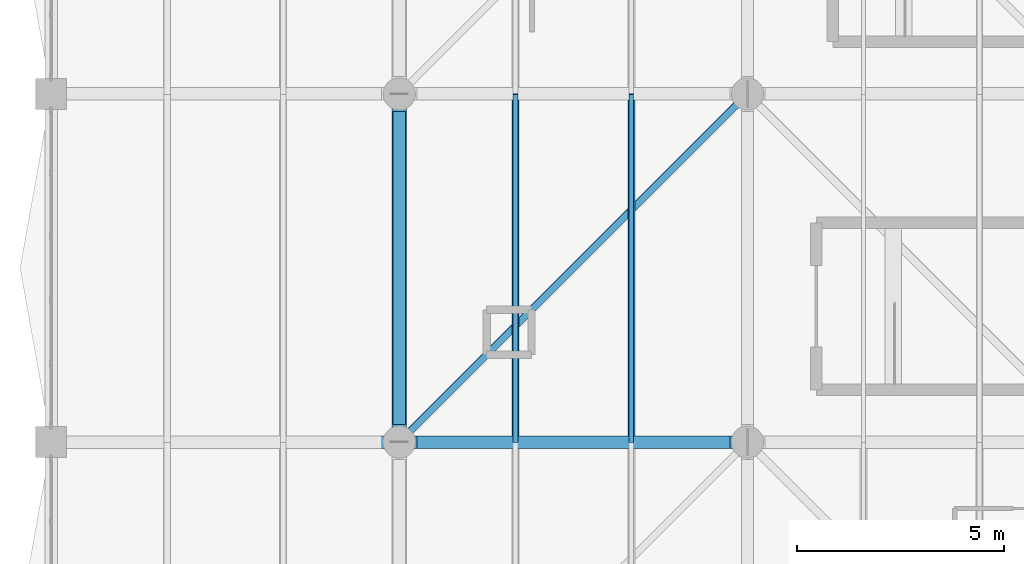
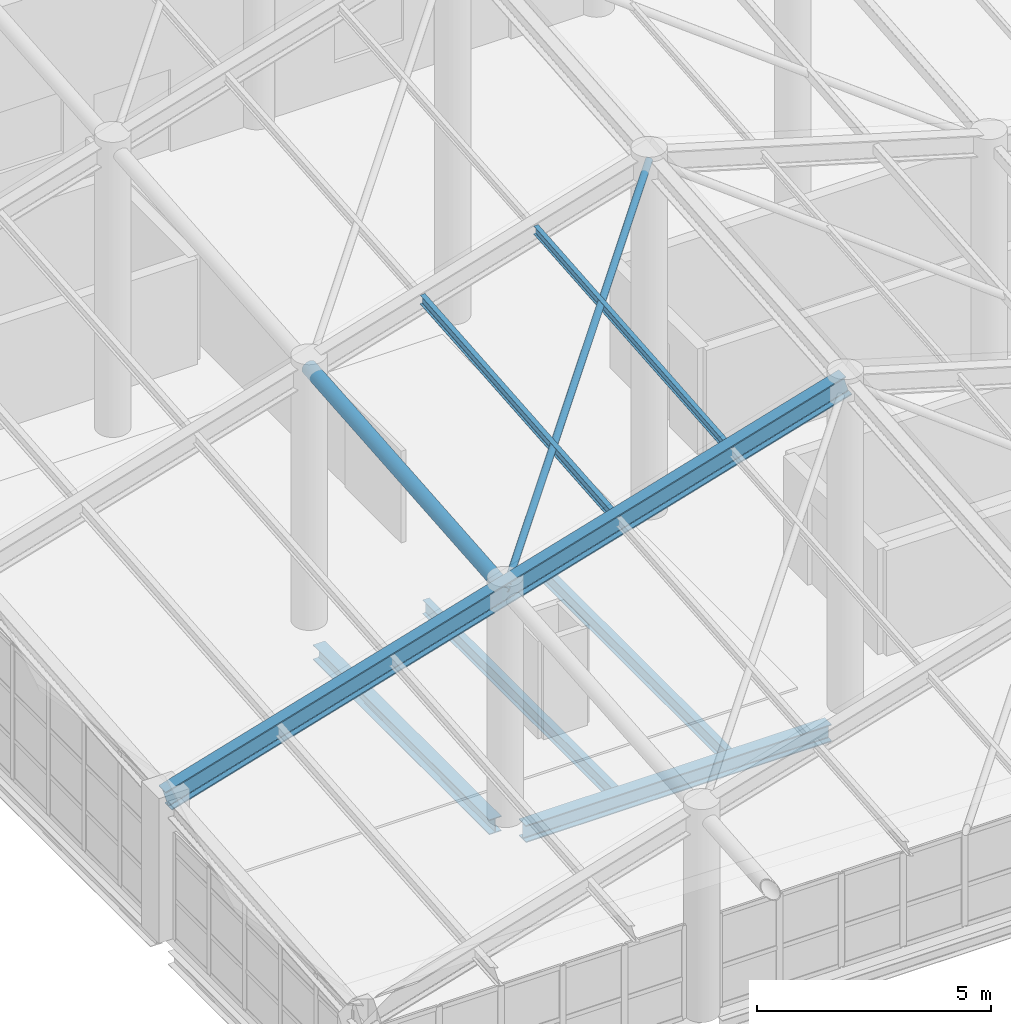
# One storey, part 35 of 95: 5 members, 4 beams.
"""IFC4 building model written with IfcOpenShell, lengths in metres."""

from ifc_helpers import new_model, si_unit, direction, frame, origin, origin_2d, place, context, subcontext, project, spatial, hollow_circle, i_section, extrude, material, material_profile, profile_set, type_object, element, save


model = new_model("IFC4")

# Units and contexts
model_context = context("Model", 3, precision=1e-05, world=origin(), true_north=direction((0.0, 1.0)))
body_context = subcontext(model_context, "Body", "Model", "MODEL_VIEW")
ifc_project = project(units=[si_unit("LENGTHUNIT", "METRE"), si_unit("AREAUNIT", "SQUARE_METRE"), si_unit("VOLUMEUNIT", "CUBIC_METRE"), si_unit("PLANEANGLEUNIT", "RADIAN"), si_unit("MASSUNIT", "GRAM", prefix="KILO"), si_unit("THERMODYNAMICTEMPERATUREUNIT", "KELVIN"), si_unit("POWERUNIT", "WATT")], contexts=[model_context])

# Site, building, storey
site_placement = place(None, origin())
site = spatial("IfcSite", under=ifc_project, at=site_placement, CompositionType="ELEMENT")
building_placement = place(site_placement, origin())
building = spatial("IfcBuilding", under=site, at=building_placement, Name="Mavoryth Pier Ferry Terminal", CompositionType="ELEMENT")
storey_placement = place(building_placement, frame((0.0, 0.0, 9.60009765625)))
storey = spatial("IfcBuildingStorey", under=building, at=storey_placement, Name="L02", CompositionType="ELEMENT", Elevation=9.60009765625)

# Beams
ifc_material = material(Name="Steel S355J2", Category="steel")
ifc_material_profile_1 = material_profile(ifc_material, i_section(OverallWidth=0.300048828125, OverallDepth=0.389892578125, WebThickness=0.010986328125, FlangeThickness=0.01904296875, FilletRadius=0.027099609375, at=origin_2d()), Name="HEA 400", Category="steel")
ifc_profile_set_1 = profile_set([ifc_material_profile_1], Name="Steel S355J2 - HEA 400")
beam_type_1 = type_object("IfcBeamType", Name="Beam-Steel-HEA400", PredefinedType="BEAM", material=ifc_profile_set_1)
beam_1_placement = place(storey_placement, frame((8.39990234375, 81.22509765625, -0.47509765625), z_axis=(0.0, 1.0, 0.0), x_axis=(-1.0, 0.0, 0.0)))
element("IfcBeam", 1, at=beam_1_placement, inside=storey, type_object=beam_type_1, Name="Beam B02-SB04-0634", PredefinedType="BEAM", context=body_context, shape_type="SweptSolid", body=[
    extrude(i_section(OverallWidth=0.300048828125, OverallDepth=0.389892578125, WebThickness=0.010986328125, FlangeThickness=0.01904296875, FilletRadius=0.027099609375, at=origin_2d()), origin(), (0.0, 0.0, 1.0), 7.5498046875),
])
ifc_material_profile_2 = material_profile(ifc_material, i_section(OverallWidth=0.300048828125, OverallDepth=0.449951171875, WebThickness=0.013916015625, FlangeThickness=0.02587890625, FilletRadius=0.027099609375, at=origin_2d()), Name="HEB 450", Category="steel")
ifc_profile_set_2 = profile_set([ifc_material_profile_2], Name="Steel S355J2 - HEB 450")
beam_type_2 = type_object("IfcBeamType", Name="Beam-Steel-HEB450", PredefinedType="BEAM", material=ifc_profile_set_2)
beam_2_placement = place(storey_placement, frame((8.824951171875, 80.800048828125, -0.505126953125), z_axis=(1.0, 0.0, 0.0), x_axis=(0.0, 1.0, 0.0)))
element("IfcBeam", 2, at=beam_2_placement, inside=storey, type_object=beam_type_2, Name="Beam B02-SB02-0609", PredefinedType="BEAM", context=body_context, shape_type="SweptSolid", body=[
    extrude(i_section(OverallWidth=0.300048828125, OverallDepth=0.449951171875, WebThickness=0.013916015625, FlangeThickness=0.02587890625, FilletRadius=0.027099609375, at=origin_2d()), origin(), (0.0, 0.0, 1.0), 7.550048828125),
])

# Members
ifc_material_profile_3 = material_profile(ifc_material, hollow_circle(Radius=0.084228515625, WallThickness=0.008056640625, at=origin_2d()), Name="CHS 168.3x8.0", Category="steel")
ifc_profile_set_3 = profile_set([ifc_material_profile_3], Name="Steel S355J2 - CHS 168.3x8.0")
member_type_1 = type_object("IfcMemberType", Name="Brace-Roof-CHS168", PredefinedType="BRACE", material=ifc_profile_set_3)
member_1_placement = place(storey_placement, frame((8.39990234375, 80.800048828125, 5.94189453125), z_axis=(0.682888799179, 0.682868951799, 0.259524339177), x_axis=(-0.707096505339, 0.707117056885, 0.0)))
element("IfcMember", 3, at=member_1_placement, inside=storey, type_object=member_type_1, Name="Steel Member MB-L02-0143", PredefinedType="BRACE", context=body_context, shape_type="SweptSolid", body=[
    extrude(hollow_circle(Radius=0.084228515625, WallThickness=0.008056640625, at=origin_2d()), origin(), (0.0, 0.0, 1.0), 12.30078125),
])
ifc_material_profile_4 = material_profile(ifc_material, hollow_circle(Radius=0.177734375, WallThickness=0.01611328125, at=origin_2d()), Name="CHS 355.6x16.0", Category="steel")
ifc_profile_set_4 = profile_set([ifc_material_profile_4], Name="Steel S355J2 - CHS 355.6x16.0")
member_type_2 = type_object("IfcMemberType", Name="Chord-Valley-CHS356", PredefinedType="CHORD", material=ifc_profile_set_4)
member_2_placement = place(storey_placement, frame((8.39990234375, 80.800048828125, 5.94189453125), z_axis=(0.0, 0.9964033157, 0.084737432475), x_axis=(-1.0, 0.0, 0.0)))
element("IfcMember", 4, at=member_2_placement, inside=storey, type_object=member_type_2, Name="Steel Member MB-L02-0133", PredefinedType="CHORD", context=body_context, shape_type="SweptSolid", body=[
    extrude(hollow_circle(Radius=0.177734375, WallThickness=0.01611328125, at=origin_2d()), origin(), (0.0, 0.0, 1.0), 8.43017578125),
])

# Beams
ifc_material_profile_5 = material_profile(ifc_material, i_section(OverallWidth=0.169921875, OverallDepth=0.360107421875, WebThickness=0.008056640625, FlangeThickness=0.0126953125, FilletRadius=0.01806640625, at=origin_2d()), Name="IPE 360", Category="steel")
ifc_profile_set_5 = profile_set([ifc_material_profile_5], Name="Steel S355J2 - IPE 360")
beam_type_3 = type_object("IfcBeamType", Name="Joist-Steel-IPE360", PredefinedType="JOIST", material=ifc_profile_set_5)
for number, where, z_axis, x_axis, name in (
    (5, (11.199951171875, 80.949951171875, -0.460205078125), (0.0, 1.0, 0.0), (-1.0, 0.0, 0.0), "Beam B02-SJ02-0663"),
    (6, (14.0, 80.949951171875, -0.460205078125), (0.0, 1.0, 0.0), (-1.0, 0.0, 0.0), "Beam B02-SJ02-0664"),
):
    element("IfcBeam", number, at=place(storey_placement, frame(where, z_axis=z_axis, x_axis=x_axis)), inside=storey, type_object=beam_type_3, Name=name, PredefinedType="JOIST", context=body_context, shape_type="SweptSolid", body=[
        extrude(i_section(OverallWidth=0.169921875, OverallDepth=0.360107421875, WebThickness=0.008056640625, FlangeThickness=0.0126953125, FilletRadius=0.01806640625, at=origin_2d()), origin(), (0.0, 0.0, 1.0), 8.10009765625),
    ])

# Members
ifc_material_profile_6 = material_profile(ifc_material, i_section(OverallWidth=0.110107421875, OverallDepth=0.219970703125, WebThickness=0.005859375, FlangeThickness=0.00927734375, FilletRadius=0.011962890625, at=origin_2d()), Name="IPE 220", Category="steel")
ifc_profile_set_6 = profile_set([ifc_material_profile_6], Name="Steel S355J2 - IPE 220")
member_type_3 = type_object("IfcMemberType", Name="Purlin-Roof-IPE220", PredefinedType="PURLIN", material=ifc_profile_set_6)
member_3_placement = place(storey_placement, frame((14.0, 80.800048828125, 7.58740234375), z_axis=(0.0, 0.9964033157, 0.084737432475), x_axis=(-1.0, 0.0, 0.0)))
element("IfcMember", 7, at=member_3_placement, inside=storey, type_object=member_type_3, Name="Steel Member MB-L02-0138", PredefinedType="PURLIN", context=body_context, shape_type="SweptSolid", body=[
    extrude(i_section(OverallWidth=0.110107421875, OverallDepth=0.219970703125, WebThickness=0.005859375, FlangeThickness=0.00927734375, FilletRadius=0.011962890625, at=origin_2d()), origin(), (0.0, 0.0, 1.0), 8.43017578125),
])
ifc_material_profile_7 = material_profile(ifc_material, i_section(OverallWidth=0.1201171875, OverallDepth=0.239990234375, WebThickness=0.006103515625, FlangeThickness=0.009765625, FilletRadius=0.014892578125, at=origin_2d()), Name="IPE 240", Category="steel")
ifc_profile_set_7 = profile_set([ifc_material_profile_7], Name="Steel S355J2 - IPE 240")
member_type_4 = type_object("IfcMemberType", Name="Purlin-Roof-IPE240", PredefinedType="PURLIN", material=ifc_profile_set_7)
member_4_placement = place(storey_placement, frame((11.199951171875, 80.800048828125, 6.754638671875), z_axis=(0.0, 0.9964033157, 0.084737432475), x_axis=(-1.0, 0.0, 0.0)))
element("IfcMember", 8, at=member_4_placement, inside=storey, type_object=member_type_4, Name="Steel Member MB-L02-0137", PredefinedType="PURLIN", context=body_context, shape_type="SweptSolid", body=[
    extrude(i_section(OverallWidth=0.1201171875, OverallDepth=0.239990234375, WebThickness=0.006103515625, FlangeThickness=0.009765625, FilletRadius=0.014892578125, at=origin_2d()), origin(), (0.0, 0.0, 1.0), 8.43017578125),
])
ifc_material_profile_8 = material_profile(ifc_material, i_section(OverallWidth=0.300048828125, OverallDepth=0.550048828125, WebThickness=0.014892578125, FlangeThickness=0.029052734375, FilletRadius=0.027099609375, at=origin_2d()), Name="HEB 550", Category="steel")
ifc_profile_set_8 = profile_set([ifc_material_profile_8], Name="Steel S355J2 - HEB 550")
member_type_5 = type_object("IfcMemberType", Name="Rafter-Folded-HEB550", PredefinedType="RAFTER", material=ifc_profile_set_8)
member_5_placement = place(storey_placement, frame((0.0, 80.800048828125, 3.443603515625), z_axis=(0.958821022036, 0.0, 0.284010999261), x_axis=(0.0, 1.0, 0.0)))
element("IfcMember", 9, at=member_5_placement, inside=storey, type_object=member_type_5, Name="Steel Member MB-L02-0015", PredefinedType="RAFTER", context=body_context, shape_type="SweptSolid", body=[
    extrude(i_section(OverallWidth=0.300048828125, OverallDepth=0.550048828125, WebThickness=0.014892578125, FlangeThickness=0.029052734375, FilletRadius=0.027099609375, at=origin_2d()), origin(), (0.0, 0.0, 1.0), 17.521484375),
])

save(model, "model.ifc")
